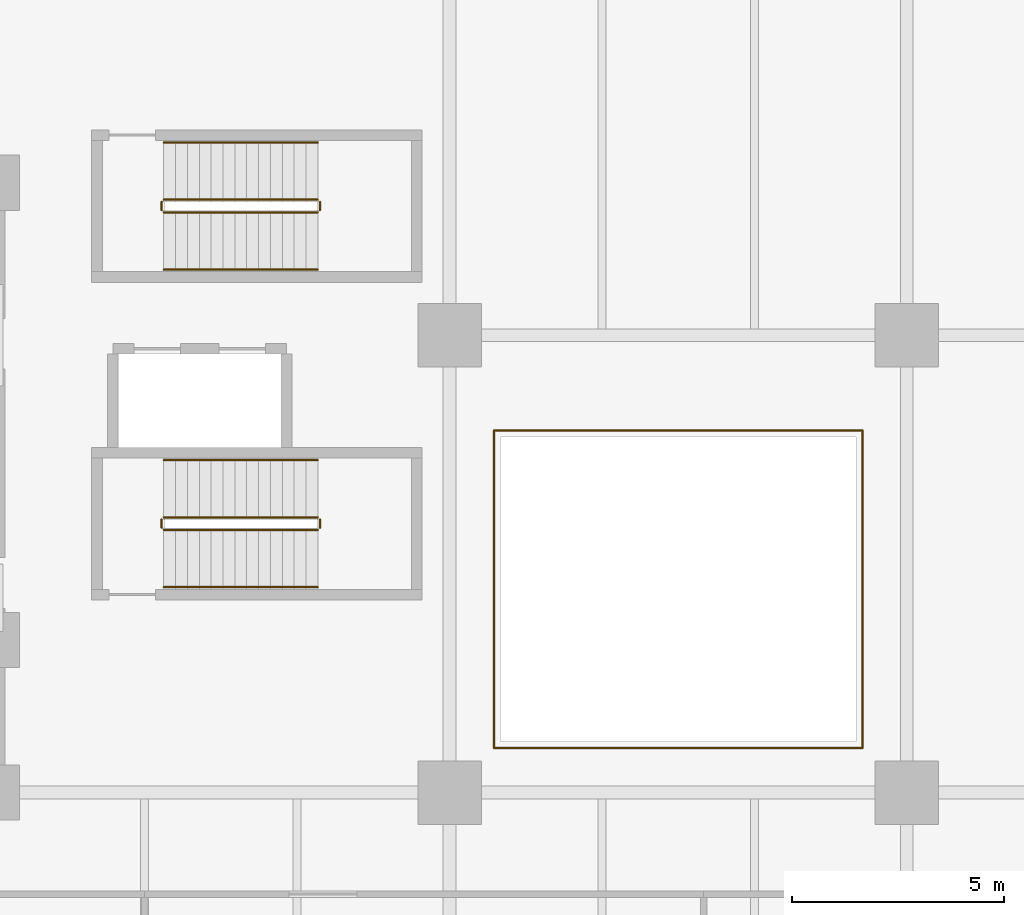
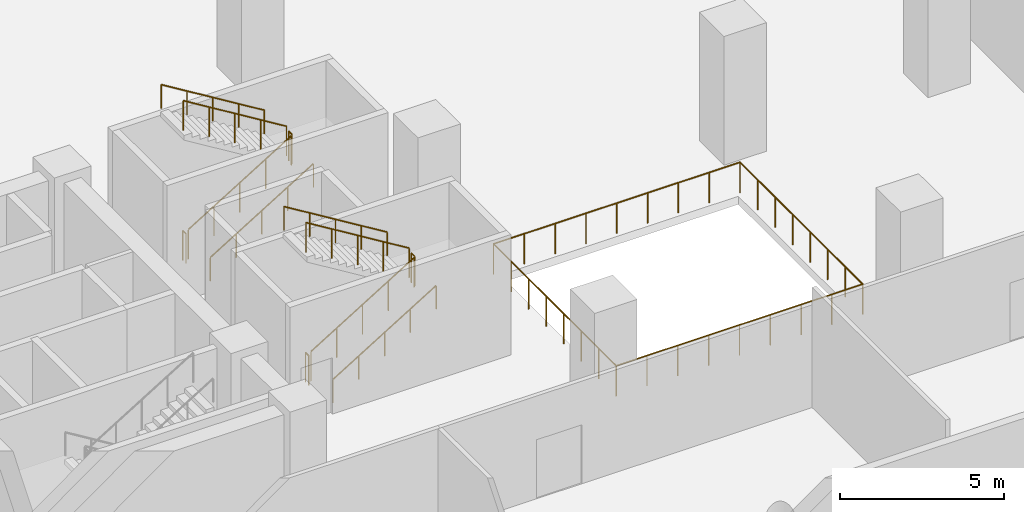
# One storey, part 15 of 16: 16 railings.
"""IFC4 building model written with IfcOpenShell, lengths in metres."""

from ifc_helpers import new_model, si_unit, direction, frame, origin, origin_2d, place, context, subcontext, project, spatial, circle, extrude, material, type_object, element, save


model = new_model("IFC4")

# Units and contexts
model_context = context("Model", 3, precision=1e-05, world=origin(), true_north=direction((0.0, 1.0)))
body_context = subcontext(model_context, "Body", "Model", "MODEL_VIEW")
ifc_project = project(units=[si_unit("LENGTHUNIT", "METRE"), si_unit("AREAUNIT", "SQUARE_METRE"), si_unit("VOLUMEUNIT", "CUBIC_METRE"), si_unit("PLANEANGLEUNIT", "RADIAN"), si_unit("MASSUNIT", "GRAM", prefix="KILO")], contexts=[model_context])

# Site, building, storey
site_placement = place(None, origin())
site = spatial("IfcSite", under=ifc_project, at=site_placement, CompositionType="ELEMENT")
building_placement = place(site_placement, origin())
building = spatial("IfcBuilding", under=site, at=building_placement, Name="Solnavia Interchange Tower", CompositionType="ELEMENT")
storey_placement = place(building_placement, frame((0.0, 0.0, 5.39990234375)))
storey = spatial("IfcBuildingStorey", under=building, at=storey_placement, Name="L01", CompositionType="ELEMENT", Elevation=5.39990234375)

# Railings
ifc_material_1 = material(Name="Painted Steel Balustrade", Category="steel")
railing_type_1 = type_object("IfcRailingType", Name="Railing-StairGuard-1100", PredefinedType="GUARDRAIL", material=ifc_material_1)
railing_1_placement = place(storey_placement, frame((36.449951171875, 17.0, 0.171630859375)))
element("IfcRailing", 1, at=railing_1_placement, inside=storey, type_object=railing_type_1, Name="L01 ST-P1 stair guard 1", PredefinedType="GUARDRAIL", context=body_context, shape_type="SweptSolid", body=[
    extrude(circle(Radius=0.02392578125, at=origin_2d()), frame((0.0, 0.0, 1.09619140625), z_axis=(0.852865859571, 0.0, 0.52213008492), x_axis=(0.0, 1.0, 0.0)), (0.0, 0.0, 1.0), 4.26806640625),
    extrude(circle(Radius=0.02099609375, at=origin_2d()), origin(), (0.0, 0.0, 1.0), 1.072021484375),
    extrude(circle(Radius=0.02099609375, at=origin_2d()), frame((0.91015625, 0.0, 0.55712890625)), (0.0, 0.0, 1.0), 1.072021484375),
    extrude(circle(Radius=0.02099609375, at=origin_2d()), frame((1.820068359375, 0.0, 1.1142578125)), (0.0, 0.0, 1.0), 1.072021484375),
    extrude(circle(Radius=0.02099609375, at=origin_2d()), frame((2.72998046875, 0.0, 1.67138671875)), (0.0, 0.0, 1.0), 1.072021484375),
    extrude(circle(Radius=0.02099609375, at=origin_2d()), frame((3.64013671875, 0.0, 2.228515625)), (0.0, 0.0, 1.0), 1.072021484375),
])
railing_2_placement = place(storey_placement, frame((40.139892578125, 17.050048828125, 2.400146484375)))
element("IfcRailing", 2, at=railing_2_placement, inside=storey, type_object=railing_type_1, Name="L01 ST-P1 stair guard 2", PredefinedType="GUARDRAIL", context=body_context, shape_type="SweptSolid", body=[
    extrude(circle(Radius=0.02392578125, at=origin_2d()), frame((0.0, 0.0, 1.09619140625), z_axis=(0.0, 1.0, 0.0), x_axis=(-1.0, 0.0, 0.0)), (0.0, 0.0, 1.0), 0.199951171875),
    extrude(circle(Radius=0.02099609375, at=origin_2d()), origin(), (0.0, 0.0, 1.0), 1.072021484375),
    extrude(circle(Radius=0.02099609375, at=origin_2d()), frame((0.0, 0.199951171875, 0.0)), (0.0, 0.0, 1.0), 1.072021484375),
])
railing_3_placement = place(storey_placement, frame((40.090087890625, 17.300048828125, 2.571533203125)))
element("IfcRailing", 3, at=railing_3_placement, inside=storey, type_object=railing_type_1, Name="L01 ST-P1 stair guard 3", PredefinedType="GUARDRAIL", context=body_context, shape_type="SweptSolid", body=[
    extrude(circle(Radius=0.02392578125, at=origin_2d()), frame((0.0, 0.0, 1.09619140625), z_axis=(-0.852865859571, 0.0, 0.52213008492), x_axis=(0.0, -1.0, 0.0)), (0.0, 0.0, 1.0), 4.26806640625),
    extrude(circle(Radius=0.02099609375, at=origin_2d()), origin(), (0.0, 0.0, 1.0), 1.072021484375),
    extrude(circle(Radius=0.02099609375, at=origin_2d()), frame((-0.91015625, 0.0, 0.55712890625)), (0.0, 0.0, 1.0), 1.072021484375),
    extrude(circle(Radius=0.02099609375, at=origin_2d()), frame((-1.820068359375, 0.0, 1.1142578125)), (0.0, 0.0, 1.0), 1.072021484375),
    extrude(circle(Radius=0.02099609375, at=origin_2d()), frame((-2.72998046875, 0.0, 1.67138671875)), (0.0, 0.0, 1.0), 1.072021484375),
    extrude(circle(Radius=0.02099609375, at=origin_2d()), frame((-3.64013671875, 0.0, 2.228515625)), (0.0, 0.0, 1.0), 1.072021484375),
])
railing_4_placement = place(storey_placement, frame((36.39990234375, 17.050048828125, 0.0)))
element("IfcRailing", 4, at=railing_4_placement, inside=storey, type_object=railing_type_1, Name="L01 ST-P1 stair guard 4", PredefinedType="GUARDRAIL", context=body_context, shape_type="SweptSolid", body=[
    extrude(circle(Radius=0.02392578125, at=origin_2d()), frame((0.0, 0.0, 1.09619140625), z_axis=(0.0, 1.0, 0.0), x_axis=(-1.0, 0.0, 0.0)), (0.0, 0.0, 1.0), 0.199951171875),
    extrude(circle(Radius=0.02099609375, at=origin_2d()), origin(), (0.0, 0.0, 1.0), 1.072021484375),
    extrude(circle(Radius=0.02099609375, at=origin_2d()), frame((0.0, 0.199951171875, 0.0)), (0.0, 0.0, 1.0), 1.072021484375),
])
railing_5_placement = place(storey_placement, frame((36.449951171875, 24.5, 0.171630859375)))
element("IfcRailing", 5, at=railing_5_placement, inside=storey, type_object=railing_type_1, Name="L01 ST-P2 stair guard 1", PredefinedType="GUARDRAIL", context=body_context, shape_type="SweptSolid", body=[
    extrude(circle(Radius=0.02392578125, at=origin_2d()), frame((0.0, 0.0, 1.09619140625), z_axis=(0.852865859571, 0.0, 0.52213008492), x_axis=(0.0, 1.0, 0.0)), (0.0, 0.0, 1.0), 4.26806640625),
    extrude(circle(Radius=0.02099609375, at=origin_2d()), origin(), (0.0, 0.0, 1.0), 1.072021484375),
    extrude(circle(Radius=0.02099609375, at=origin_2d()), frame((0.91015625, 0.0, 0.55712890625)), (0.0, 0.0, 1.0), 1.072021484375),
    extrude(circle(Radius=0.02099609375, at=origin_2d()), frame((1.820068359375, 0.0, 1.1142578125)), (0.0, 0.0, 1.0), 1.072021484375),
    extrude(circle(Radius=0.02099609375, at=origin_2d()), frame((2.72998046875, 0.0, 1.67138671875)), (0.0, 0.0, 1.0), 1.072021484375),
    extrude(circle(Radius=0.02099609375, at=origin_2d()), frame((3.64013671875, 0.0, 2.228515625)), (0.0, 0.0, 1.0), 1.072021484375),
])
railing_6_placement = place(storey_placement, frame((40.139892578125, 24.550048828125, 2.400146484375)))
element("IfcRailing", 6, at=railing_6_placement, inside=storey, type_object=railing_type_1, Name="L01 ST-P2 stair guard 2", PredefinedType="GUARDRAIL", context=body_context, shape_type="SweptSolid", body=[
    extrude(circle(Radius=0.02392578125, at=origin_2d()), frame((0.0, 0.0, 1.09619140625), z_axis=(0.0, 1.0, 0.0), x_axis=(-1.0, 0.0, 0.0)), (0.0, 0.0, 1.0), 0.199951171875),
    extrude(circle(Radius=0.02099609375, at=origin_2d()), origin(), (0.0, 0.0, 1.0), 1.072021484375),
    extrude(circle(Radius=0.02099609375, at=origin_2d()), frame((0.0, 0.199951171875, 0.0)), (0.0, 0.0, 1.0), 1.072021484375),
])
railing_7_placement = place(storey_placement, frame((40.090087890625, 24.800048828125, 2.571533203125)))
element("IfcRailing", 7, at=railing_7_placement, inside=storey, type_object=railing_type_1, Name="L01 ST-P2 stair guard 3", PredefinedType="GUARDRAIL", context=body_context, shape_type="SweptSolid", body=[
    extrude(circle(Radius=0.02392578125, at=origin_2d()), frame((0.0, 0.0, 1.09619140625), z_axis=(-0.852865859571, 0.0, 0.52213008492), x_axis=(0.0, -1.0, 0.0)), (0.0, 0.0, 1.0), 4.26806640625),
    extrude(circle(Radius=0.02099609375, at=origin_2d()), origin(), (0.0, 0.0, 1.0), 1.072021484375),
    extrude(circle(Radius=0.02099609375, at=origin_2d()), frame((-0.91015625, 0.0, 0.55712890625)), (0.0, 0.0, 1.0), 1.072021484375),
    extrude(circle(Radius=0.02099609375, at=origin_2d()), frame((-1.820068359375, 0.0, 1.1142578125)), (0.0, 0.0, 1.0), 1.072021484375),
    extrude(circle(Radius=0.02099609375, at=origin_2d()), frame((-2.72998046875, 0.0, 1.67138671875)), (0.0, 0.0, 1.0), 1.072021484375),
    extrude(circle(Radius=0.02099609375, at=origin_2d()), frame((-3.64013671875, 0.0, 2.228515625)), (0.0, 0.0, 1.0), 1.072021484375),
])
railing_8_placement = place(storey_placement, frame((36.39990234375, 24.550048828125, 0.0)))
element("IfcRailing", 8, at=railing_8_placement, inside=storey, type_object=railing_type_1, Name="L01 ST-P2 stair guard 4", PredefinedType="GUARDRAIL", context=body_context, shape_type="SweptSolid", body=[
    extrude(circle(Radius=0.02392578125, at=origin_2d()), frame((0.0, 0.0, 1.09619140625), z_axis=(0.0, 1.0, 0.0), x_axis=(-1.0, 0.0, 0.0)), (0.0, 0.0, 1.0), 0.199951171875),
    extrude(circle(Radius=0.02099609375, at=origin_2d()), origin(), (0.0, 0.0, 1.0), 1.072021484375),
    extrude(circle(Radius=0.02099609375, at=origin_2d()), frame((0.0, 0.199951171875, 0.0)), (0.0, 0.0, 1.0), 1.072021484375),
])
ifc_material_2 = material(Name="Brushed Stainless Steel", Category="steel")
railing_type_2 = type_object("IfcRailingType", Name="Railing-StairHandrail-900", PredefinedType="HANDRAIL", material=ifc_material_2)
railing_9_placement = place(storey_placement, frame((36.449951171875, 15.64990234375, 0.171630859375)))
element("IfcRailing", 9, at=railing_9_placement, inside=storey, type_object=railing_type_2, Name="L01 ST-P1 stair handrail 1", PredefinedType="HANDRAIL", context=body_context, shape_type="SweptSolid", body=[
    extrude(circle(Radius=0.02392578125, at=origin_2d()), frame((0.0, 0.0, 0.8759765625), z_axis=(0.852865859571, 0.0, 0.52213008492), x_axis=(0.0, 1.0, 0.0)), (0.0, 0.0, 1.0), 4.26806640625),
    extrude(circle(Radius=0.02099609375, at=origin_2d()), origin(), (0.0, 0.0, 1.0), 0.851806640625),
    extrude(circle(Radius=0.02099609375, at=origin_2d()), frame((0.91015625, 0.0, 0.55712890625)), (0.0, 0.0, 1.0), 0.851806640625),
    extrude(circle(Radius=0.02099609375, at=origin_2d()), frame((1.820068359375, 0.0, 1.1142578125)), (0.0, 0.0, 1.0), 0.851806640625),
    extrude(circle(Radius=0.02099609375, at=origin_2d()), frame((2.72998046875, 0.0, 1.67138671875)), (0.0, 0.0, 1.0), 0.851806640625),
    extrude(circle(Radius=0.02099609375, at=origin_2d()), frame((3.64013671875, 0.0, 2.228515625)), (0.0, 0.0, 1.0), 0.851806640625),
])
railing_10_placement = place(storey_placement, frame((40.090087890625, 18.64990234375, 2.571533203125)))
element("IfcRailing", 10, at=railing_10_placement, inside=storey, type_object=railing_type_2, Name="L01 ST-P1 stair handrail 2", PredefinedType="HANDRAIL", context=body_context, shape_type="SweptSolid", body=[
    extrude(circle(Radius=0.02392578125, at=origin_2d()), frame((0.0, 0.0, 0.8759765625), z_axis=(-0.852865859571, 0.0, 0.52213008492), x_axis=(0.0, -1.0, 0.0)), (0.0, 0.0, 1.0), 4.26806640625),
    extrude(circle(Radius=0.02099609375, at=origin_2d()), origin(), (0.0, 0.0, 1.0), 0.851806640625),
    extrude(circle(Radius=0.02099609375, at=origin_2d()), frame((-0.91015625, 0.0, 0.55712890625)), (0.0, 0.0, 1.0), 0.851806640625),
    extrude(circle(Radius=0.02099609375, at=origin_2d()), frame((-1.820068359375, 0.0, 1.1142578125)), (0.0, 0.0, 1.0), 0.851806640625),
    extrude(circle(Radius=0.02099609375, at=origin_2d()), frame((-2.72998046875, 0.0, 1.67138671875)), (0.0, 0.0, 1.0), 0.851806640625),
    extrude(circle(Radius=0.02099609375, at=origin_2d()), frame((-3.64013671875, 0.0, 2.228515625)), (0.0, 0.0, 1.0), 0.851806640625),
])
railing_11_placement = place(storey_placement, frame((36.449951171875, 23.14990234375, 0.171630859375)))
element("IfcRailing", 11, at=railing_11_placement, inside=storey, type_object=railing_type_2, Name="L01 ST-P2 stair handrail 1", PredefinedType="HANDRAIL", context=body_context, shape_type="SweptSolid", body=[
    extrude(circle(Radius=0.02392578125, at=origin_2d()), frame((0.0, 0.0, 0.8759765625), z_axis=(0.852865859571, 0.0, 0.52213008492), x_axis=(0.0, 1.0, 0.0)), (0.0, 0.0, 1.0), 4.26806640625),
    extrude(circle(Radius=0.02099609375, at=origin_2d()), origin(), (0.0, 0.0, 1.0), 0.851806640625),
    extrude(circle(Radius=0.02099609375, at=origin_2d()), frame((0.91015625, 0.0, 0.55712890625)), (0.0, 0.0, 1.0), 0.851806640625),
    extrude(circle(Radius=0.02099609375, at=origin_2d()), frame((1.820068359375, 0.0, 1.1142578125)), (0.0, 0.0, 1.0), 0.851806640625),
    extrude(circle(Radius=0.02099609375, at=origin_2d()), frame((2.72998046875, 0.0, 1.67138671875)), (0.0, 0.0, 1.0), 0.851806640625),
    extrude(circle(Radius=0.02099609375, at=origin_2d()), frame((3.64013671875, 0.0, 2.228515625)), (0.0, 0.0, 1.0), 0.851806640625),
])
railing_12_placement = place(storey_placement, frame((40.090087890625, 26.14990234375, 2.571533203125)))
element("IfcRailing", 12, at=railing_12_placement, inside=storey, type_object=railing_type_2, Name="L01 ST-P2 stair handrail 2", PredefinedType="HANDRAIL", context=body_context, shape_type="SweptSolid", body=[
    extrude(circle(Radius=0.02392578125, at=origin_2d()), frame((0.0, 0.0, 0.8759765625), z_axis=(-0.852865859571, 0.0, 0.52213008492), x_axis=(0.0, -1.0, 0.0)), (0.0, 0.0, 1.0), 4.26806640625),
    extrude(circle(Radius=0.02099609375, at=origin_2d()), origin(), (0.0, 0.0, 1.0), 0.851806640625),
    extrude(circle(Radius=0.02099609375, at=origin_2d()), frame((-0.91015625, 0.0, 0.55712890625)), (0.0, 0.0, 1.0), 0.851806640625),
    extrude(circle(Radius=0.02099609375, at=origin_2d()), frame((-1.820068359375, 0.0, 1.1142578125)), (0.0, 0.0, 1.0), 0.851806640625),
    extrude(circle(Radius=0.02099609375, at=origin_2d()), frame((-2.72998046875, 0.0, 1.67138671875)), (0.0, 0.0, 1.0), 0.851806640625),
    extrude(circle(Radius=0.02099609375, at=origin_2d()), frame((-3.64013671875, 0.0, 2.228515625)), (0.0, 0.0, 1.0), 0.851806640625),
])
ifc_material_3 = material(Name="Laminated Safety Glass & Stainless Steel", Category="steel")
railing_type_3 = type_object("IfcRailingType", Name="Railing-TerraceGuard-1150", PredefinedType="GUARDRAIL", material=ifc_material_3)
railing_13_placement = place(storey_placement, frame((44.25, 11.85009765625, 0.0)))
element("IfcRailing", 13, at=railing_13_placement, inside=storey, type_object=railing_type_3, Name="GRD-L01-ATR-01 Perimeter terrace guardrail", PredefinedType="GUARDRAIL", context=body_context, shape_type="SweptSolid", body=[
    extrude(circle(Radius=0.02392578125, at=origin_2d()), frame((0.0, 0.0, 1.1259765625), z_axis=(1.0, 0.0, 0.0), x_axis=(0.0, 1.0, 0.0)), (0.0, 0.0, 1.0), 8.699951171875),
    extrude(circle(Radius=0.02099609375, at=origin_2d()), origin(), (0.0, 0.0, 1.0), 1.101806640625),
    extrude(circle(Radius=0.02099609375, at=origin_2d()), frame((1.08740234375, 0.0, 0.0)), (0.0, 0.0, 1.0), 1.101806640625),
    extrude(circle(Radius=0.02099609375, at=origin_2d()), frame((2.175048828125, 0.0, 0.0)), (0.0, 0.0, 1.0), 1.101806640625),
    extrude(circle(Radius=0.02099609375, at=origin_2d()), frame((3.262451171875, 0.0, 0.0)), (0.0, 0.0, 1.0), 1.101806640625),
    extrude(circle(Radius=0.02099609375, at=origin_2d()), frame((4.35009765625, 0.0, 0.0)), (0.0, 0.0, 1.0), 1.101806640625),
    extrude(circle(Radius=0.02099609375, at=origin_2d()), frame((5.4375, 0.0, 0.0)), (0.0, 0.0, 1.0), 1.101806640625),
    extrude(circle(Radius=0.02099609375, at=origin_2d()), frame((6.52490234375, 0.0, 0.0)), (0.0, 0.0, 1.0), 1.101806640625),
    extrude(circle(Radius=0.02099609375, at=origin_2d()), frame((7.612548828125, 0.0, 0.0)), (0.0, 0.0, 1.0), 1.101806640625),
    extrude(circle(Radius=0.02099609375, at=origin_2d()), frame((8.699951171875, 0.0, 0.0)), (0.0, 0.0, 1.0), 1.101806640625),
])
railing_14_placement = place(storey_placement, frame((52.949951171875, 11.85009765625, 0.0)))
element("IfcRailing", 14, at=railing_14_placement, inside=storey, type_object=railing_type_3, Name="GRD-L01-ATR-02 Perimeter terrace guardrail", PredefinedType="GUARDRAIL", context=body_context, shape_type="SweptSolid", body=[
    extrude(circle(Radius=0.02392578125, at=origin_2d()), frame((0.0, 0.0, 1.1259765625), z_axis=(0.0, 1.0, 0.0), x_axis=(-1.0, 0.0, 0.0)), (0.0, 0.0, 1.0), 7.5),
    extrude(circle(Radius=0.02099609375, at=origin_2d()), origin(), (0.0, 0.0, 1.0), 1.101806640625),
    extrude(circle(Radius=0.02099609375, at=origin_2d()), frame((0.0, 1.071533203125, 0.0)), (0.0, 0.0, 1.0), 1.101806640625),
    extrude(circle(Radius=0.02099609375, at=origin_2d()), frame((0.0, 2.142822265625, 0.0)), (0.0, 0.0, 1.0), 1.101806640625),
    extrude(circle(Radius=0.02099609375, at=origin_2d()), frame((0.0, 3.21435546875, 0.0)), (0.0, 0.0, 1.0), 1.101806640625),
    extrude(circle(Radius=0.02099609375, at=origin_2d()), frame((0.0, 4.28564453125, 0.0)), (0.0, 0.0, 1.0), 1.101806640625),
    extrude(circle(Radius=0.02099609375, at=origin_2d()), frame((0.0, 5.357177734375, 0.0)), (0.0, 0.0, 1.0), 1.101806640625),
    extrude(circle(Radius=0.02099609375, at=origin_2d()), frame((0.0, 6.428466796875, 0.0)), (0.0, 0.0, 1.0), 1.101806640625),
    extrude(circle(Radius=0.02099609375, at=origin_2d()), frame((0.0, 7.5, 0.0)), (0.0, 0.0, 1.0), 1.101806640625),
])
railing_15_placement = place(storey_placement, frame((52.949951171875, 19.35009765625, 0.0)))
element("IfcRailing", 15, at=railing_15_placement, inside=storey, type_object=railing_type_3, Name="GRD-L01-ATR-03 Perimeter terrace guardrail", PredefinedType="GUARDRAIL", context=body_context, shape_type="SweptSolid", body=[
    extrude(circle(Radius=0.02392578125, at=origin_2d()), frame((0.0, 0.0, 1.1259765625), z_axis=(-1.0, 0.0, 0.0), x_axis=(0.0, -1.0, 0.0)), (0.0, 0.0, 1.0), 8.699951171875),
    extrude(circle(Radius=0.02099609375, at=origin_2d()), origin(), (0.0, 0.0, 1.0), 1.101806640625),
    extrude(circle(Radius=0.02099609375, at=origin_2d()), frame((-1.08740234375, 0.0, 0.0)), (0.0, 0.0, 1.0), 1.101806640625),
    extrude(circle(Radius=0.02099609375, at=origin_2d()), frame((-2.175048828125, 0.0, 0.0)), (0.0, 0.0, 1.0), 1.101806640625),
    extrude(circle(Radius=0.02099609375, at=origin_2d()), frame((-3.262451171875, 0.0, 0.0)), (0.0, 0.0, 1.0), 1.101806640625),
    extrude(circle(Radius=0.02099609375, at=origin_2d()), frame((-4.35009765625, 0.0, 0.0)), (0.0, 0.0, 1.0), 1.101806640625),
    extrude(circle(Radius=0.02099609375, at=origin_2d()), frame((-5.4375, 0.0, 0.0)), (0.0, 0.0, 1.0), 1.101806640625),
    extrude(circle(Radius=0.02099609375, at=origin_2d()), frame((-6.52490234375, 0.0, 0.0)), (0.0, 0.0, 1.0), 1.101806640625),
    extrude(circle(Radius=0.02099609375, at=origin_2d()), frame((-7.612548828125, 0.0, 0.0)), (0.0, 0.0, 1.0), 1.101806640625),
    extrude(circle(Radius=0.02099609375, at=origin_2d()), frame((-8.699951171875, 0.0, 0.0)), (0.0, 0.0, 1.0), 1.101806640625),
])
railing_16_placement = place(storey_placement, frame((44.25, 19.35009765625, 0.0)))
element("IfcRailing", 16, at=railing_16_placement, inside=storey, type_object=railing_type_3, Name="GRD-L01-ATR-04 Perimeter terrace guardrail", PredefinedType="GUARDRAIL", context=body_context, shape_type="SweptSolid", body=[
    extrude(circle(Radius=0.02392578125, at=origin_2d()), frame((0.0, 0.0, 1.1259765625), z_axis=(0.0, -1.0, 0.0), x_axis=(1.0, 0.0, 0.0)), (0.0, 0.0, 1.0), 7.5),
    extrude(circle(Radius=0.02099609375, at=origin_2d()), origin(), (0.0, 0.0, 1.0), 1.101806640625),
    extrude(circle(Radius=0.02099609375, at=origin_2d()), frame((0.0, -1.071533203125, 0.0)), (0.0, 0.0, 1.0), 1.101806640625),
    extrude(circle(Radius=0.02099609375, at=origin_2d()), frame((0.0, -2.142822265625, 0.0)), (0.0, 0.0, 1.0), 1.101806640625),
    extrude(circle(Radius=0.02099609375, at=origin_2d()), frame((0.0, -3.21435546875, 0.0)), (0.0, 0.0, 1.0), 1.101806640625),
    extrude(circle(Radius=0.02099609375, at=origin_2d()), frame((0.0, -4.28564453125, 0.0)), (0.0, 0.0, 1.0), 1.101806640625),
    extrude(circle(Radius=0.02099609375, at=origin_2d()), frame((0.0, -5.357177734375, 0.0)), (0.0, 0.0, 1.0), 1.101806640625),
    extrude(circle(Radius=0.02099609375, at=origin_2d()), frame((0.0, -6.428466796875, 0.0)), (0.0, 0.0, 1.0), 1.101806640625),
    extrude(circle(Radius=0.02099609375, at=origin_2d()), frame((0.0, -7.5, 0.0)), (0.0, 0.0, 1.0), 1.101806640625),
])

save(model, "model.ifc")
